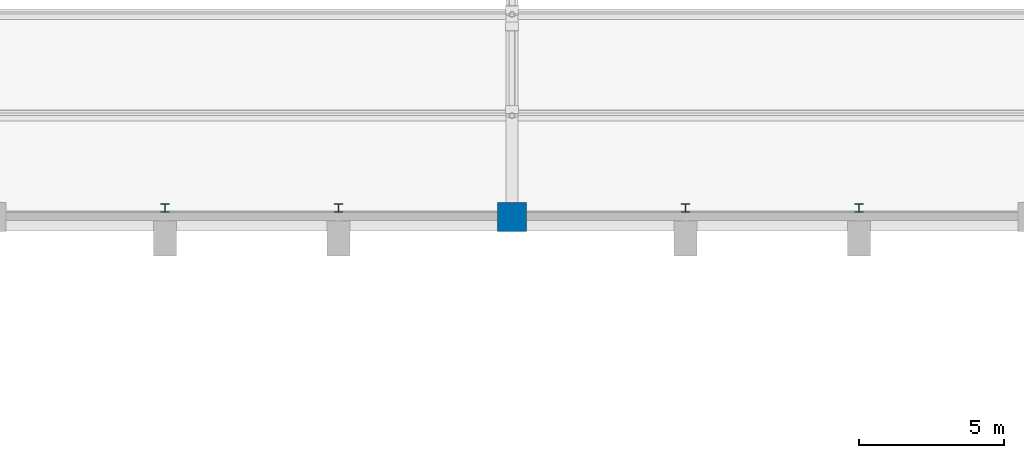
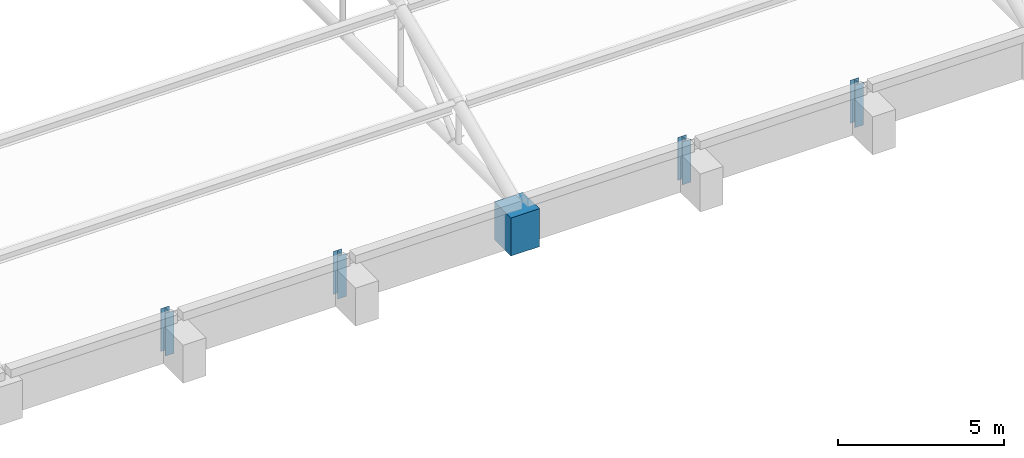
# One storey, part 10 of 196: 5 columns.
"""IFC4 building model written with IfcOpenShell, lengths in metres."""

from ifc_helpers import new_model, si_unit, direction, frame, origin, origin_2d, place, context, subcontext, project, spatial, rectangle, i_section, extrude, material, material_profile, profile_set, type_object, element, save


model = new_model("IFC4")

# Units and contexts
model_context = context("Model", 3, precision=1e-05, world=origin(), true_north=direction((0.0, 1.0)))
body_context = subcontext(model_context, "Body", "Model", "MODEL_VIEW")
ifc_project = project(units=[si_unit("LENGTHUNIT", "METRE"), si_unit("AREAUNIT", "SQUARE_METRE"), si_unit("VOLUMEUNIT", "CUBIC_METRE"), si_unit("PLANEANGLEUNIT", "RADIAN"), si_unit("MASSUNIT", "GRAM", prefix="KILO")], contexts=[model_context])

# Site, building, storey
site_placement = place(None, origin())
site = spatial("IfcSite", under=ifc_project, at=site_placement, CompositionType="ELEMENT")
building_placement = place(site_placement, origin())
building = spatial("IfcBuilding", under=site, at=building_placement, Name="Okhra Congress Centre", CompositionType="ELEMENT")
storey_placement = place(building_placement, frame((0.0, 0.0, 12.0)))
storey = spatial("IfcBuildingStorey", under=building, at=storey_placement, Name="L02", CompositionType="ELEMENT", Elevation=12.0)

# Columns
ifc_material_1 = material(Name="Steel S355J2", Category="steel")
ifc_material_profile_1 = material_profile(ifc_material_1, i_section(OverallWidth=0.300048828125, OverallDepth=0.2900390625, WebThickness=0.008544921875, FlangeThickness=0.013916015625, at=origin_2d()), Name="HE 300 A")
ifc_profile_set_1 = profile_set([ifc_material_profile_1], Name="Steel S355J2")
column_type_1 = type_object("IfcColumnType", Name="HE 300 A", PredefinedType="COLUMN", material=ifc_profile_set_1)
for number, where, z_axis, x_axis, name in (
    (1, (106.0, 132.300048828125, 0.0), (0.0, 0.0, 1.0), (1.0, 0.0, 0.0), "EH.COL.L02.WP9"),
    (2, (112.0, 132.300048828125, 0.0), (0.0, 0.0, 1.0), (1.0, 0.0, 0.0), "EH.COL.L02.WP10"),
    (3, (124.0, 132.300048828125, 0.0), (0.0, 0.0, 1.0), (1.0, 0.0, 0.0), "EH.COL.L02.WP11"),
    (4, (130.0, 132.300048828125, 0.0), (0.0, 0.0, 1.0), (1.0, 0.0, 0.0), "EH.COL.L02.WP12"),
):
    element("IfcColumn", number, at=place(storey_placement, frame(where, z_axis=z_axis, x_axis=x_axis)), inside=storey, type_object=column_type_1, Name=name, PredefinedType="COLUMN", context=body_context, shape_type="SweptSolid", body=[
        extrude(i_section(OverallWidth=0.300048828125, OverallDepth=0.2900390625, WebThickness=0.008544921875, FlangeThickness=0.013916015625, at=origin_2d()), origin(), (0.0, 0.0, 1.0), 1.57666015625),
    ])
ifc_material_2 = material(Name="Concrete C40/50", Category="concrete")
ifc_material_profile_2 = material_profile(ifc_material_2, rectangle(XDim=1.0, YDim=1.0, at=origin_2d()), Name="RC 1000x1000")
ifc_profile_set_2 = profile_set([ifc_material_profile_2], Name="Concrete C40/50")
column_type_2 = type_object("IfcColumnType", Name="RC column 1000x1000 C40/50", PredefinedType="COLUMN", material=ifc_profile_set_2)
column_placement = place(storey_placement, frame((118.0, 132.0, 0.0), z_axis=(0.0, 0.0, 1.0), x_axis=(1.0, 0.0, 0.0)))
element("IfcColumn", 5, at=column_placement, inside=storey, type_object=column_type_2, Name="EH.COL.L02.SC11", PredefinedType="COLUMN", context=body_context, shape_type="SweptSolid", body=[
    extrude(rectangle(XDim=1.0, YDim=1.0, at=origin_2d()), origin(), (0.0, 0.0, 1.0), 1.39990234375),
])

save(model, "model.ifc")
